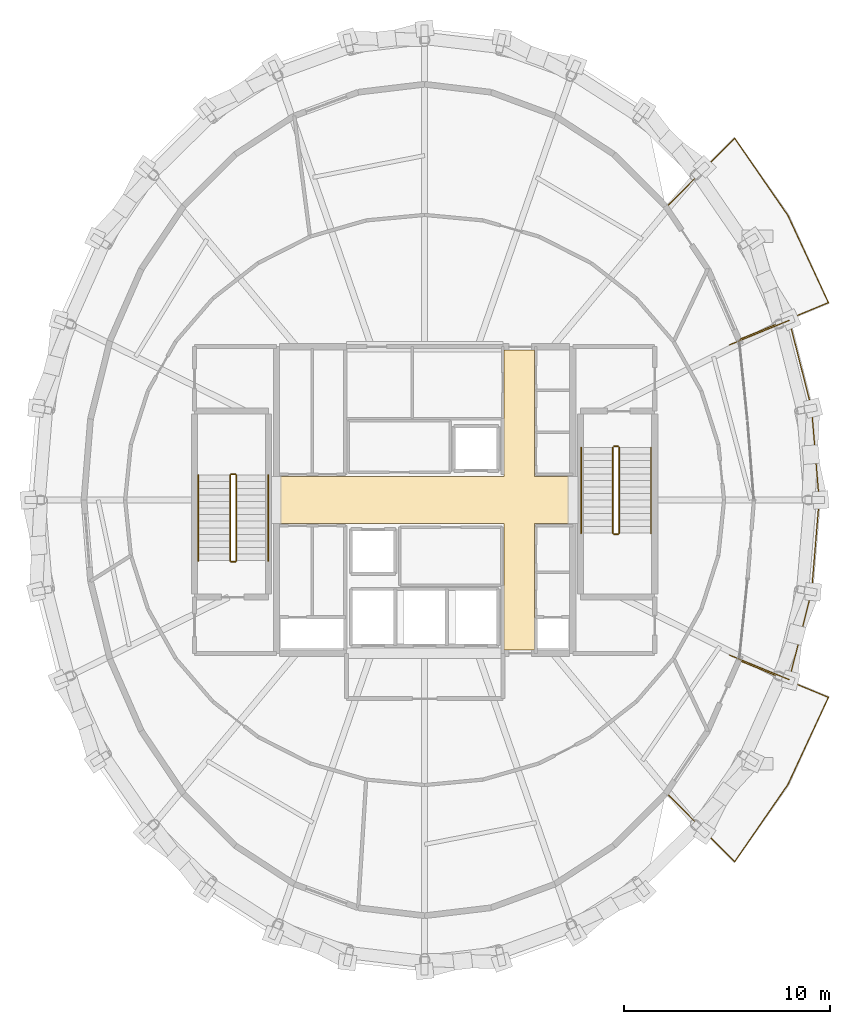
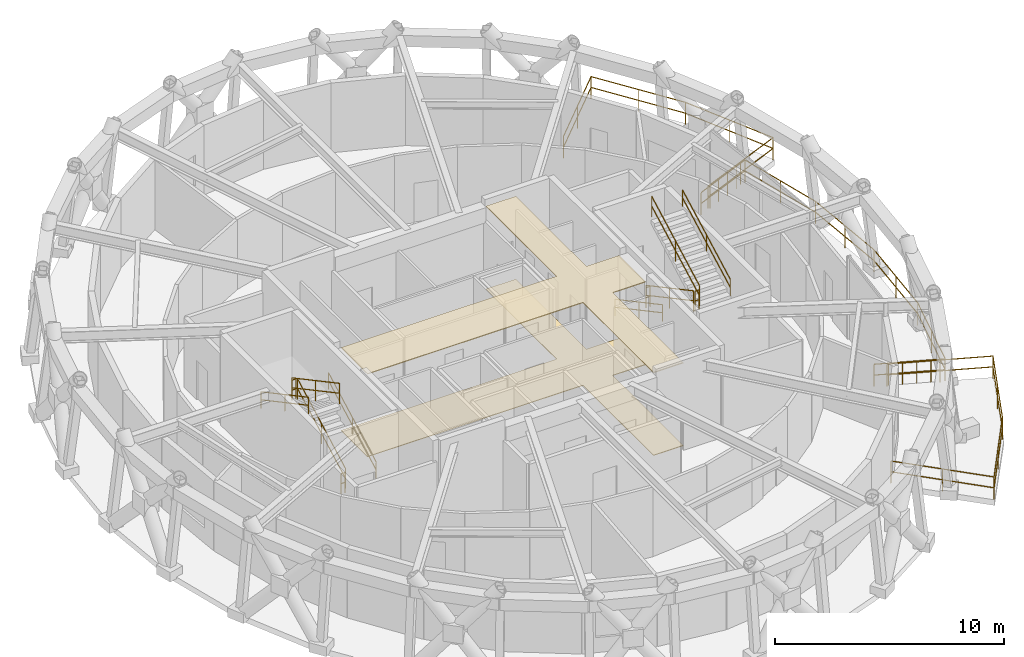
# One storey, part 11 of 11: 17 railings, 2 coverings.
"""IFC4 building model written with IfcOpenShell, lengths in metres."""

from ifc_helpers import new_model, si_unit, direction, frame, origin, origin_2d, place, context, subcontext, project, spatial, polyline, circle, outline, extrude, material, layer, layer_set, type_object, element, save


model = new_model("IFC4")

# Units and contexts
model_context = context("Model", 3, precision=1e-05, world=origin(), true_north=direction((0.0, 1.0)))
body_context = subcontext(model_context, "Body", "Model", "MODEL_VIEW")
ifc_project = project(units=[si_unit("LENGTHUNIT", "METRE"), si_unit("AREAUNIT", "SQUARE_METRE"), si_unit("VOLUMEUNIT", "CUBIC_METRE"), si_unit("PLANEANGLEUNIT", "RADIAN"), si_unit("MASSUNIT", "GRAM", prefix="KILO")], contexts=[model_context])

# Site, building, storey
site_placement = place(None, origin())
site = spatial("IfcSite", under=ifc_project, at=site_placement, CompositionType="ELEMENT")
building_placement = place(site_placement, origin())
building = spatial("IfcBuilding", under=site, at=building_placement, Name="Veldorina Hangang Commons", CompositionType="ELEMENT")
storey_placement = place(building_placement, frame((0.0, 0.0, 297.60009765625)))
storey = spatial("IfcBuildingStorey", under=building, at=storey_placement, Name="L78", CompositionType="ELEMENT", Elevation=297.60009765625)

# Coverings
ifc_material_1 = material(Name="Mineral Fibre Acoustic Tile", Category="gypsum")
ifc_layer_1 = layer(ifc_material_1, 0.0400390625)
ifc_layer_set_1 = layer_set([ifc_layer_1], Name="Mineral Fibre Acoustic Tile")
covering_type_1 = type_object("IfcCoveringType", Name="COV-CEIL-AC60", PredefinedType="CEILING", material=ifc_layer_set_1)
covering_1_placement = place(storey_placement, frame((0.0, 0.0, 4.39990234375)))
element("IfcCovering", 1, at=covering_1_placement, inside=storey, type_object=covering_type_1, Name="L78 lobby suspended acoustic ceiling", PredefinedType="CEILING", context=body_context, shape_type="SweptSolid", body=[
    extrude(outline(polyline([(25.0, 22.85009765625), (35.85009765625, 22.85009765625), (35.85009765625, 16.699951171875), (37.35009765625, 16.699951171875), (37.35009765625, 22.85009765625), (39.0, 22.85009765625), (39.0, 25.14990234375), (37.35009765625, 25.14990234375), (37.35009765625, 31.300048828125), (35.85009765625, 31.300048828125), (35.85009765625, 25.14990234375), (25.0, 25.14990234375), (25.0, 22.85009765625)])), origin(), (0.0, 0.0, 1.0), 0.0400390625),
])
ifc_material_2 = material(Name="Stone Venetian Terrazzo", Category="masonry")
ifc_layer_2 = layer(ifc_material_2, 0.030029296875)
ifc_layer_set_2 = layer_set([ifc_layer_2], Name="Stone Venetian Terrazzo")
covering_type_2 = type_object("IfcCoveringType", Name="COV-FLR-TERZ", PredefinedType="FLOORING", material=ifc_layer_set_2)
covering_2_placement = place(storey_placement, origin())
element("IfcCovering", 2, at=covering_2_placement, inside=storey, type_object=covering_type_2, Name="L78 lobby terrazzo floor finish", PredefinedType="FLOORING", context=body_context, shape_type="SweptSolid", body=[
    extrude(outline(polyline([(25.0, 22.85009765625), (35.85009765625, 22.85009765625), (35.85009765625, 16.699951171875), (37.35009765625, 16.699951171875), (37.35009765625, 22.85009765625), (39.0, 22.85009765625), (39.0, 25.14990234375), (37.35009765625, 25.14990234375), (37.35009765625, 31.300048828125), (35.85009765625, 31.300048828125), (35.85009765625, 25.14990234375), (25.0, 25.14990234375), (25.0, 22.85009765625)])), origin(), (0.0, 0.0, 1.0), 0.02978515625),
])

# Railings
ifc_material_3 = material(Name="Glass Laminated Safety Balustrade", Category="glass")
railing_type_1 = type_object("IfcRailingType", Name="RL-BAL-LOGGIA", PredefinedType="BALUSTRADE", material=ifc_material_3)
railing_1_placement = place(storey_placement, frame((46.81787109375, 16.462158203125, 0.0)))
element("IfcRailing", 3, at=railing_1_placement, inside=storey, type_object=railing_type_1, Name="L78 sky-garden loggia end balustrade A", PredefinedType="BALUSTRADE", context=body_context, shape_type="SweptSolid", body=[
    extrude(circle(Radius=0.02392578125, at=origin_2d()), frame((0.0, 0.0, 1.17578125), z_axis=(0.924889563175, -0.38023584251, 0.0), x_axis=(0.38023584251, 0.924889563175, 0.0)), (0.0, 0.0, 1.0), 3.130126953125),
    extrude(circle(Radius=0.02392578125, at=origin_2d()), frame((0.0, 0.0, 0.60009765625), z_axis=(0.924889563175, -0.38023584251, 0.0), x_axis=(0.38023584251, 0.924889563175, 0.0)), (0.0, 0.0, 1.0), 3.130126953125),
    extrude(circle(Radius=0.02099609375, at=origin_2d()), origin(), (0.0, 0.0, 1.0), 1.15185546875),
    extrude(circle(Radius=0.02099609375, at=origin_2d()), frame((0.5791015625, -0.238037109375, 0.0)), (0.0, 0.0, 1.0), 1.15185546875),
    extrude(circle(Radius=0.02099609375, at=origin_2d()), frame((1.157958984375, -0.47607421875, 0.0)), (0.0, 0.0, 1.0), 1.15185546875),
    extrude(circle(Radius=0.02099609375, at=origin_2d()), frame((1.737060546875, -0.714111328125, 0.0)), (0.0, 0.0, 1.0), 1.15185546875),
    extrude(circle(Radius=0.02099609375, at=origin_2d()), frame((2.31591796875, -0.9521484375, 0.0)), (0.0, 0.0, 1.0), 1.15185546875),
    extrude(circle(Radius=0.02099609375, at=origin_2d()), frame((2.89501953125, -1.190185546875, 0.0)), (0.0, 0.0, 1.0), 1.15185546875),
])
railing_2_placement = place(storey_placement, frame((46.81787109375, 31.537841796875, 0.0)))
element("IfcRailing", 4, at=railing_2_placement, inside=storey, type_object=railing_type_1, Name="L78 sky-garden loggia end balustrade B", PredefinedType="BALUSTRADE", context=body_context, shape_type="SweptSolid", body=[
    extrude(circle(Radius=0.02392578125, at=origin_2d()), frame((0.0, 0.0, 1.17578125), z_axis=(0.924889563175, 0.38023584251, 0.0), x_axis=(-0.38023584251, 0.924889563175, 0.0)), (0.0, 0.0, 1.0), 3.130126953125),
    extrude(circle(Radius=0.02392578125, at=origin_2d()), frame((0.0, 0.0, 0.60009765625), z_axis=(0.924889563175, 0.38023584251, 0.0), x_axis=(-0.38023584251, 0.924889563175, 0.0)), (0.0, 0.0, 1.0), 3.130126953125),
    extrude(circle(Radius=0.02099609375, at=origin_2d()), origin(), (0.0, 0.0, 1.0), 1.15185546875),
    extrude(circle(Radius=0.02099609375, at=origin_2d()), frame((0.5791015625, 0.238037109375, 0.0)), (0.0, 0.0, 1.0), 1.15185546875),
    extrude(circle(Radius=0.02099609375, at=origin_2d()), frame((1.157958984375, 0.47607421875, 0.0)), (0.0, 0.0, 1.0), 1.15185546875),
    extrude(circle(Radius=0.02099609375, at=origin_2d()), frame((1.737060546875, 0.714111328125, 0.0)), (0.0, 0.0, 1.0), 1.15185546875),
    extrude(circle(Radius=0.02099609375, at=origin_2d()), frame((2.31591796875, 0.9521484375, 0.0)), (0.0, 0.0, 1.0), 1.15185546875),
    extrude(circle(Radius=0.02099609375, at=origin_2d()), frame((2.89501953125, 1.190185546875, 0.0)), (0.0, 0.0, 1.0), 1.15185546875),
])
railing_3_placement = place(storey_placement, frame((49.712890625, 15.27197265625, 0.0)))
element("IfcRailing", 5, at=railing_3_placement, inside=storey, type_object=railing_type_1, Name="L78 sky-garden loggia outer balustrade", PredefinedType="BALUSTRADE", context=body_context, shape_type="SweptSolid", body=[
    extrude(circle(Radius=0.02392578125, at=origin_2d()), frame((0.0, 0.0, 1.17578125), z_axis=(0.24672271234, 0.969086117543, 0.0), x_axis=(-0.969086117543, 0.24672271234, 0.0)), (0.0, 0.0, 1.0), 4.415283203125),
    extrude(circle(Radius=0.02392578125, at=origin_2d()), frame((0.0, 0.0, 0.60009765625), z_axis=(0.24672271234, 0.969086117543, 0.0), x_axis=(-0.969086117543, 0.24672271234, 0.0)), (0.0, 0.0, 1.0), 4.415283203125),
    extrude(circle(Radius=0.02392578125, at=origin_2d()), frame((1.08935546875, 4.27880859375, 1.17578125), z_axis=(0.082357544324, 0.996602847123, 0.0), x_axis=(-0.996602847123, 0.082357544324, 0.0)), (0.0, 0.0, 1.0), 4.46435546875),
    extrude(circle(Radius=0.02392578125, at=origin_2d()), frame((1.08935546875, 4.27880859375, 0.60009765625), z_axis=(0.082357544324, 0.996602847123, 0.0), x_axis=(-0.996602847123, 0.082357544324, 0.0)), (0.0, 0.0, 1.0), 4.46435546875),
    extrude(circle(Radius=0.02392578125, at=origin_2d()), frame((1.45703125, 8.72802734375, 1.17578125), z_axis=(-0.082357544324, 0.996602847123, 0.0), x_axis=(-0.996602847123, -0.082357544324, 0.0)), (0.0, 0.0, 1.0), 4.46435546875),
    extrude(circle(Radius=0.02392578125, at=origin_2d()), frame((1.45703125, 8.72802734375, 0.60009765625), z_axis=(-0.082357544324, 0.996602847123, 0.0), x_axis=(-0.996602847123, -0.082357544324, 0.0)), (0.0, 0.0, 1.0), 4.46435546875),
    extrude(circle(Radius=0.02392578125, at=origin_2d()), frame((1.08935546875, 13.17724609375, 1.17578125), z_axis=(-0.24672271234, 0.969086117543, 0.0), x_axis=(-0.969086117543, -0.24672271234, 0.0)), (0.0, 0.0, 1.0), 4.415283203125),
    extrude(circle(Radius=0.02392578125, at=origin_2d()), frame((1.08935546875, 13.17724609375, 0.60009765625), z_axis=(-0.24672271234, 0.969086117543, 0.0), x_axis=(-0.969086117543, -0.24672271234, 0.0)), (0.0, 0.0, 1.0), 4.415283203125),
    extrude(circle(Radius=0.02099609375, at=origin_2d()), origin(), (0.0, 0.0, 1.0), 1.15185546875),
    extrude(circle(Radius=0.02099609375, at=origin_2d()), frame((0.544677734375, 2.139404296875, 0.0)), (0.0, 0.0, 1.0), 1.15185546875),
    extrude(circle(Radius=0.02099609375, at=origin_2d()), frame((1.08935546875, 4.27880859375, 0.0)), (0.0, 0.0, 1.0), 1.15185546875),
    extrude(circle(Radius=0.02099609375, at=origin_2d()), frame((1.273193359375, 6.50341796875, 0.0)), (0.0, 0.0, 1.0), 1.15185546875),
    extrude(circle(Radius=0.02099609375, at=origin_2d()), frame((1.45703125, 8.72802734375, 0.0)), (0.0, 0.0, 1.0), 1.15185546875),
    extrude(circle(Radius=0.02099609375, at=origin_2d()), frame((1.273193359375, 10.95263671875, 0.0)), (0.0, 0.0, 1.0), 1.15185546875),
    extrude(circle(Radius=0.02099609375, at=origin_2d()), frame((1.08935546875, 13.17724609375, 0.0)), (0.0, 0.0, 1.0), 1.15185546875),
    extrude(circle(Radius=0.02099609375, at=origin_2d()), frame((0.544677734375, 15.316650390625, 0.0)), (0.0, 0.0, 1.0), 1.15185546875),
    extrude(circle(Radius=0.02099609375, at=origin_2d()), frame((0.0, 17.4560546875, 0.0)), (0.0, 0.0, 1.0), 1.15185546875),
])
railing_4_placement = place(storey_placement, frame((43.779296875, 9.733642578125, 0.0)))
element("IfcRailing", 6, at=railing_4_placement, inside=storey, type_object=railing_type_1, Name="L78 planted tree balcony 1 balustrade", PredefinedType="BALUSTRADE", context=body_context, shape_type="SweptSolid", body=[
    extrude(circle(Radius=0.02392578125, at=origin_2d()), frame((0.0, 0.0, 1.17578125), z_axis=(0.705219495568, -0.708989042983, 0.0), x_axis=(0.708989042983, 0.705219495568, 0.0)), (0.0, 0.0, 1.0), 4.6630859375),
    extrude(circle(Radius=0.02392578125, at=origin_2d()), frame((0.0, 0.0, 0.60009765625), z_axis=(0.705219495568, -0.708989042983, 0.0), x_axis=(0.708989042983, 0.705219495568, 0.0)), (0.0, 0.0, 1.0), 4.6630859375),
    extrude(circle(Radius=0.02392578125, at=origin_2d()), frame((3.28857421875, -3.30615234375, 1.17578125), z_axis=(0.567424783372, 0.823425233531, 0.0), x_axis=(-0.823425233531, 0.567424783372, 0.0)), (0.0, 0.0, 1.0), 4.5546875),
    extrude(circle(Radius=0.02392578125, at=origin_2d()), frame((3.28857421875, -3.30615234375, 0.60009765625), z_axis=(0.567424783372, 0.823425233531, 0.0), x_axis=(-0.823425233531, 0.567424783372, 0.0)), (0.0, 0.0, 1.0), 4.5546875),
    extrude(circle(Radius=0.02392578125, at=origin_2d()), frame((5.873046875, 0.4443359375, 1.17578125), z_axis=(0.421559804604, 0.906800601644, 0.0), x_axis=(-0.906800601644, 0.421559804604, 0.0)), (0.0, 0.0, 1.0), 4.669677734375),
    extrude(circle(Radius=0.02392578125, at=origin_2d()), frame((5.873046875, 0.4443359375, 0.60009765625), z_axis=(0.421559804604, 0.906800601644, 0.0), x_axis=(-0.906800601644, 0.421559804604, 0.0)), (0.0, 0.0, 1.0), 4.669677734375),
    extrude(circle(Radius=0.02392578125, at=origin_2d()), frame((7.841552734375, 4.6787109375, 1.17578125), z_axis=(-0.924250177976, 0.381787386528, 0.0), x_axis=(-0.381787386528, -0.924250177976, 0.0)), (0.0, 0.0, 1.0), 4.66162109375),
    extrude(circle(Radius=0.02392578125, at=origin_2d()), frame((7.841552734375, 4.6787109375, 0.60009765625), z_axis=(-0.924250177976, 0.381787386528, 0.0), x_axis=(-0.381787386528, -0.924250177976, 0.0)), (0.0, 0.0, 1.0), 4.66162109375),
    extrude(circle(Radius=0.02099609375, at=origin_2d()), origin(), (0.0, 0.0, 1.0), 1.15185546875),
    extrude(circle(Radius=0.02099609375, at=origin_2d()), frame((1.644287109375, -1.653076171875, 0.0)), (0.0, 0.0, 1.0), 1.15185546875),
    extrude(circle(Radius=0.02099609375, at=origin_2d()), frame((3.28857421875, -3.30615234375, 0.0)), (0.0, 0.0, 1.0), 1.15185546875),
    extrude(circle(Radius=0.02099609375, at=origin_2d()), frame((4.580810546875, -1.430908203125, 0.0)), (0.0, 0.0, 1.0), 1.15185546875),
    extrude(circle(Radius=0.02099609375, at=origin_2d()), frame((5.873046875, 0.4443359375, 0.0)), (0.0, 0.0, 1.0), 1.15185546875),
    extrude(circle(Radius=0.02099609375, at=origin_2d()), frame((6.857421875, 2.5615234375, 0.0)), (0.0, 0.0, 1.0), 1.15185546875),
    extrude(circle(Radius=0.02099609375, at=origin_2d()), frame((7.841552734375, 4.6787109375, 0.0)), (0.0, 0.0, 1.0), 1.15185546875),
    extrude(circle(Radius=0.02099609375, at=origin_2d()), frame((5.687255859375, 5.568603515625, 0.0)), (0.0, 0.0, 1.0), 1.15185546875),
    extrude(circle(Radius=0.02099609375, at=origin_2d()), frame((3.532958984375, 6.45849609375, 0.0)), (0.0, 0.0, 1.0), 1.15185546875),
])
railing_5_placement = place(storey_placement, frame((47.312255859375, 31.807861328125, 0.0)))
element("IfcRailing", 7, at=railing_5_placement, inside=storey, type_object=railing_type_1, Name="L78 planted tree balcony 2 balustrade", PredefinedType="BALUSTRADE", context=body_context, shape_type="SweptSolid", body=[
    extrude(circle(Radius=0.02392578125, at=origin_2d()), frame((0.0, 0.0, 1.17578125), z_axis=(0.924250177976, 0.381787386528, 0.0), x_axis=(-0.381787386528, 0.924250177976, 0.0)), (0.0, 0.0, 1.0), 4.66162109375),
    extrude(circle(Radius=0.02392578125, at=origin_2d()), frame((0.0, 0.0, 0.60009765625), z_axis=(0.924250177976, 0.381787386528, 0.0), x_axis=(-0.381787386528, 0.924250177976, 0.0)), (0.0, 0.0, 1.0), 4.66162109375),
    extrude(circle(Radius=0.02392578125, at=origin_2d()), frame((4.30859375, 1.77978515625, 1.17578125), z_axis=(-0.421559804604, 0.906800601644, 0.0), x_axis=(-0.906800601644, -0.421559804604, 0.0)), (0.0, 0.0, 1.0), 4.669677734375),
    extrude(circle(Radius=0.02392578125, at=origin_2d()), frame((4.30859375, 1.77978515625, 0.60009765625), z_axis=(-0.421559804604, 0.906800601644, 0.0), x_axis=(-0.906800601644, -0.421559804604, 0.0)), (0.0, 0.0, 1.0), 4.669677734375),
    extrude(circle(Radius=0.02392578125, at=origin_2d()), frame((2.340087890625, 6.01416015625, 1.17578125), z_axis=(-0.567424783372, 0.823425233531, 0.0), x_axis=(-0.823425233531, -0.567424783372, 0.0)), (0.0, 0.0, 1.0), 4.5546875),
    extrude(circle(Radius=0.02392578125, at=origin_2d()), frame((2.340087890625, 6.01416015625, 0.60009765625), z_axis=(-0.567424783372, 0.823425233531, 0.0), x_axis=(-0.823425233531, -0.567424783372, 0.0)), (0.0, 0.0, 1.0), 4.5546875),
    extrude(circle(Radius=0.02392578125, at=origin_2d()), frame((-0.244384765625, 9.7646484375, 1.17578125), z_axis=(-0.705219495568, -0.708989042983, 0.0), x_axis=(0.708989042983, -0.705219495568, 0.0)), (0.0, 0.0, 1.0), 4.6630859375),
    extrude(circle(Radius=0.02392578125, at=origin_2d()), frame((-0.244384765625, 9.7646484375, 0.60009765625), z_axis=(-0.705219495568, -0.708989042983, 0.0), x_axis=(0.708989042983, -0.705219495568, 0.0)), (0.0, 0.0, 1.0), 4.6630859375),
    extrude(circle(Radius=0.02099609375, at=origin_2d()), origin(), (0.0, 0.0, 1.0), 1.15185546875),
    extrude(circle(Radius=0.02099609375, at=origin_2d()), frame((2.154296875, 0.889892578125, 0.0)), (0.0, 0.0, 1.0), 1.15185546875),
    extrude(circle(Radius=0.02099609375, at=origin_2d()), frame((4.30859375, 1.77978515625, 0.0)), (0.0, 0.0, 1.0), 1.15185546875),
    extrude(circle(Radius=0.02099609375, at=origin_2d()), frame((3.32421875, 3.89697265625, 0.0)), (0.0, 0.0, 1.0), 1.15185546875),
    extrude(circle(Radius=0.02099609375, at=origin_2d()), frame((2.340087890625, 6.01416015625, 0.0)), (0.0, 0.0, 1.0), 1.15185546875),
    extrude(circle(Radius=0.02099609375, at=origin_2d()), frame((1.0478515625, 7.889404296875, 0.0)), (0.0, 0.0, 1.0), 1.15185546875),
    extrude(circle(Radius=0.02099609375, at=origin_2d()), frame((-0.244384765625, 9.7646484375, 0.0)), (0.0, 0.0, 1.0), 1.15185546875),
    extrude(circle(Radius=0.02099609375, at=origin_2d()), frame((-1.888671875, 8.111572265625, 0.0)), (0.0, 0.0, 1.0), 1.15185546875),
    extrude(circle(Radius=0.02099609375, at=origin_2d()), frame((-3.532958984375, 6.45849609375, 0.0)), (0.0, 0.0, 1.0), 1.15185546875),
])
ifc_material_4 = material(Name="Steel Painted Balustrade", Category="steel")
railing_type_2 = type_object("IfcRailingType", Name="RL-GRD-STAIR", PredefinedType="GUARDRAIL", material=ifc_material_4)
railing_6_placement = place(storey_placement, frame((22.85009765625, 21.050048828125, 0.17138671875)))
element("IfcRailing", 8, at=railing_6_placement, inside=storey, type_object=railing_type_2, Name="L78 ST-1 stair guard 1", PredefinedType="GUARDRAIL", context=body_context, shape_type="SweptSolid", body=[
    extrude(circle(Radius=0.02392578125, at=origin_2d()), frame((0.0, 0.0, 1.076171875), z_axis=(0.0, 0.881480739103, 0.472219976908), x_axis=(-1.0, 0.0, 0.0)), (0.0, 0.0, 1.0), 4.71923828125),
    extrude(circle(Radius=0.02392578125, at=origin_2d()), frame((0.0, 0.0, 0.550048828125), z_axis=(0.0, 0.881480739103, 0.472219976908), x_axis=(-1.0, 0.0, 0.0)), (0.0, 0.0, 1.0), 4.71923828125),
    extrude(circle(Radius=0.02099609375, at=origin_2d()), origin(), (0.0, 0.0, 1.0), 1.052001953125),
    extrude(circle(Radius=0.02099609375, at=origin_2d()), frame((0.0, 2.080078125, 1.1142578125)), (0.0, 0.0, 1.0), 1.052001953125),
    extrude(circle(Radius=0.02099609375, at=origin_2d()), frame((0.0, 4.159912109375, 2.228515625)), (0.0, 0.0, 1.0), 1.052001953125),
])
railing_7_placement = place(storey_placement, frame((22.800048828125, 25.260009765625, 2.39990234375)))
element("IfcRailing", 9, at=railing_7_placement, inside=storey, type_object=railing_type_2, Name="L78 ST-1 stair guard 2", PredefinedType="GUARDRAIL", context=body_context, shape_type="SweptSolid", body=[
    extrude(circle(Radius=0.02392578125, at=origin_2d()), frame((0.0, 0.0, 1.076171875), z_axis=(-1.0, 0.0, 0.0), x_axis=(0.0, -1.0, 0.0)), (0.0, 0.0, 1.0), 0.199951171875),
    extrude(circle(Radius=0.02392578125, at=origin_2d()), frame((0.0, 0.0, 0.550048828125), z_axis=(-1.0, 0.0, 0.0), x_axis=(0.0, -1.0, 0.0)), (0.0, 0.0, 1.0), 0.199951171875),
    extrude(circle(Radius=0.02099609375, at=origin_2d()), origin(), (0.0, 0.0, 1.0), 1.052001953125),
    extrude(circle(Radius=0.02099609375, at=origin_2d()), frame((-0.199951171875, 0.0, 0.0)), (0.0, 0.0, 1.0), 1.052001953125),
])
railing_8_placement = place(storey_placement, frame((22.550048828125, 25.2099609375, 2.5712890625)))
element("IfcRailing", 10, at=railing_8_placement, inside=storey, type_object=railing_type_2, Name="L78 ST-1 stair guard 3", PredefinedType="GUARDRAIL", context=body_context, shape_type="SweptSolid", body=[
    extrude(circle(Radius=0.02392578125, at=origin_2d()), frame((0.0, 0.0, 1.076171875), z_axis=(0.0, -0.881480739103, 0.472219976908), x_axis=(1.0, 0.0, 0.0)), (0.0, 0.0, 1.0), 4.71923828125),
    extrude(circle(Radius=0.02392578125, at=origin_2d()), frame((0.0, 0.0, 0.550048828125), z_axis=(0.0, -0.881480739103, 0.472219976908), x_axis=(1.0, 0.0, 0.0)), (0.0, 0.0, 1.0), 4.71923828125),
    extrude(circle(Radius=0.02099609375, at=origin_2d()), origin(), (0.0, 0.0, 1.0), 1.052001953125),
    extrude(circle(Radius=0.02099609375, at=origin_2d()), frame((0.0, -2.080078125, 1.1142578125)), (0.0, 0.0, 1.0), 1.052001953125),
    extrude(circle(Radius=0.02099609375, at=origin_2d()), frame((0.0, -4.159912109375, 2.228515625)), (0.0, 0.0, 1.0), 1.052001953125),
])
railing_9_placement = place(storey_placement, frame((22.800048828125, 21.0, 0.0)))
element("IfcRailing", 11, at=railing_9_placement, inside=storey, type_object=railing_type_2, Name="L78 ST-1 stair guard 4", PredefinedType="GUARDRAIL", context=body_context, shape_type="SweptSolid", body=[
    extrude(circle(Radius=0.02392578125, at=origin_2d()), frame((0.0, 0.0, 1.076171875), z_axis=(-1.0, 0.0, 0.0), x_axis=(0.0, -1.0, 0.0)), (0.0, 0.0, 1.0), 0.199951171875),
    extrude(circle(Radius=0.02392578125, at=origin_2d()), frame((0.0, 0.0, 0.550048828125), z_axis=(-1.0, 0.0, 0.0), x_axis=(0.0, -1.0, 0.0)), (0.0, 0.0, 1.0), 0.199951171875),
    extrude(circle(Radius=0.02099609375, at=origin_2d()), origin(), (0.0, 0.0, 1.0), 1.052001953125),
    extrude(circle(Radius=0.02099609375, at=origin_2d()), frame((-0.199951171875, 0.0, 0.0)), (0.0, 0.0, 1.0), 1.052001953125),
])
railing_10_placement = place(storey_placement, frame((41.14990234375, 26.550048828125, 0.17138671875)))
element("IfcRailing", 12, at=railing_10_placement, inside=storey, type_object=railing_type_2, Name="L78 ST-2 stair guard 1", PredefinedType="GUARDRAIL", context=body_context, shape_type="SweptSolid", body=[
    extrude(circle(Radius=0.02392578125, at=origin_2d()), frame((0.0, 0.0, 1.076171875), z_axis=(0.0, -0.881492274372, 0.472198443689), x_axis=(1.0, 0.0, 0.0)), (0.0, 0.0, 1.0), 4.719482421875),
    extrude(circle(Radius=0.02392578125, at=origin_2d()), frame((0.0, 0.0, 0.550048828125), z_axis=(0.0, -0.881492274372, 0.472198443689), x_axis=(1.0, 0.0, 0.0)), (0.0, 0.0, 1.0), 4.719482421875),
    extrude(circle(Radius=0.02099609375, at=origin_2d()), origin(), (0.0, 0.0, 1.0), 1.052001953125),
    extrude(circle(Radius=0.02099609375, at=origin_2d()), frame((0.0, -2.080078125, 1.1142578125)), (0.0, 0.0, 1.0), 1.052001953125),
    extrude(circle(Radius=0.02099609375, at=origin_2d()), frame((0.0, -4.16015625, 2.228515625)), (0.0, 0.0, 1.0), 1.052001953125),
])
railing_11_placement = place(storey_placement, frame((41.199951171875, 22.340087890625, 2.39990234375)))
element("IfcRailing", 13, at=railing_11_placement, inside=storey, type_object=railing_type_2, Name="L78 ST-2 stair guard 2", PredefinedType="GUARDRAIL", context=body_context, shape_type="SweptSolid", body=[
    extrude(circle(Radius=0.02392578125, at=origin_2d()), frame((0.0, 0.0, 1.076171875), z_axis=(1.0, 0.0, 0.0), x_axis=(0.0, 1.0, 0.0)), (0.0, 0.0, 1.0), 0.199951171875),
    extrude(circle(Radius=0.02392578125, at=origin_2d()), frame((0.0, 0.0, 0.550048828125), z_axis=(1.0, 0.0, 0.0), x_axis=(0.0, 1.0, 0.0)), (0.0, 0.0, 1.0), 0.199951171875),
    extrude(circle(Radius=0.02099609375, at=origin_2d()), origin(), (0.0, 0.0, 1.0), 1.052001953125),
    extrude(circle(Radius=0.02099609375, at=origin_2d()), frame((0.199951171875, 0.0, 0.0)), (0.0, 0.0, 1.0), 1.052001953125),
])
railing_12_placement = place(storey_placement, frame((41.449951171875, 22.389892578125, 2.5712890625)))
element("IfcRailing", 14, at=railing_12_placement, inside=storey, type_object=railing_type_2, Name="L78 ST-2 stair guard 3", PredefinedType="GUARDRAIL", context=body_context, shape_type="SweptSolid", body=[
    extrude(circle(Radius=0.02392578125, at=origin_2d()), frame((0.0, 0.0, 1.076171875), z_axis=(0.0, 0.881492274372, 0.472198443689), x_axis=(-1.0, 0.0, 0.0)), (0.0, 0.0, 1.0), 4.719482421875),
    extrude(circle(Radius=0.02392578125, at=origin_2d()), frame((0.0, 0.0, 0.550048828125), z_axis=(0.0, 0.881492274372, 0.472198443689), x_axis=(-1.0, 0.0, 0.0)), (0.0, 0.0, 1.0), 4.719482421875),
    extrude(circle(Radius=0.02099609375, at=origin_2d()), origin(), (0.0, 0.0, 1.0), 1.052001953125),
    extrude(circle(Radius=0.02099609375, at=origin_2d()), frame((0.0, 2.080078125, 1.1142578125)), (0.0, 0.0, 1.0), 1.052001953125),
    extrude(circle(Radius=0.02099609375, at=origin_2d()), frame((0.0, 4.16015625, 2.228515625)), (0.0, 0.0, 1.0), 1.052001953125),
])
railing_13_placement = place(storey_placement, frame((41.199951171875, 26.60009765625, 0.0)))
element("IfcRailing", 15, at=railing_13_placement, inside=storey, type_object=railing_type_2, Name="L78 ST-2 stair guard 4", PredefinedType="GUARDRAIL", context=body_context, shape_type="SweptSolid", body=[
    extrude(circle(Radius=0.02392578125, at=origin_2d()), frame((0.0, 0.0, 1.076171875), z_axis=(1.0, 0.0, 0.0), x_axis=(0.0, 1.0, 0.0)), (0.0, 0.0, 1.0), 0.199951171875),
    extrude(circle(Radius=0.02392578125, at=origin_2d()), frame((0.0, 0.0, 0.550048828125), z_axis=(1.0, 0.0, 0.0), x_axis=(0.0, 1.0, 0.0)), (0.0, 0.0, 1.0), 0.199951171875),
    extrude(circle(Radius=0.02099609375, at=origin_2d()), origin(), (0.0, 0.0, 1.0), 1.052001953125),
    extrude(circle(Radius=0.02099609375, at=origin_2d()), frame((0.199951171875, 0.0, 0.0)), (0.0, 0.0, 1.0), 1.052001953125),
])
ifc_material_5 = material(Name="Stainless Steel Brushed 316", Category="steel")
railing_type_3 = type_object("IfcRailingType", Name="RL-HND-STAIR", PredefinedType="HANDRAIL", material=ifc_material_5)
railing_14_placement = place(storey_placement, frame((24.39990234375, 21.050048828125, 0.17138671875)))
element("IfcRailing", 16, at=railing_14_placement, inside=storey, type_object=railing_type_3, Name="L78 ST-1 stair handrail 1", PredefinedType="HANDRAIL", context=body_context, shape_type="SweptSolid", body=[
    extrude(circle(Radius=0.02392578125, at=origin_2d()), frame((0.0, 0.0, 0.8759765625), z_axis=(0.0, 0.881480739103, 0.472219976908), x_axis=(-1.0, 0.0, 0.0)), (0.0, 0.0, 1.0), 4.71923828125),
    extrude(circle(Radius=0.02392578125, at=origin_2d()), frame((0.0, 0.0, 0.449951171875), z_axis=(0.0, 0.881480739103, 0.472219976908), x_axis=(-1.0, 0.0, 0.0)), (0.0, 0.0, 1.0), 4.71923828125),
    extrude(circle(Radius=0.02099609375, at=origin_2d()), origin(), (0.0, 0.0, 1.0), 0.851806640625),
    extrude(circle(Radius=0.02099609375, at=origin_2d()), frame((0.0, 2.080078125, 1.1142578125)), (0.0, 0.0, 1.0), 0.851806640625),
    extrude(circle(Radius=0.02099609375, at=origin_2d()), frame((0.0, 4.159912109375, 2.228515625)), (0.0, 0.0, 1.0), 0.851806640625),
])
railing_15_placement = place(storey_placement, frame((21.0, 25.2099609375, 2.5712890625)))
element("IfcRailing", 17, at=railing_15_placement, inside=storey, type_object=railing_type_3, Name="L78 ST-1 stair handrail 2", PredefinedType="HANDRAIL", context=body_context, shape_type="SweptSolid", body=[
    extrude(circle(Radius=0.02392578125, at=origin_2d()), frame((0.0, 0.0, 0.8759765625), z_axis=(0.0, -0.881480739103, 0.472219976908), x_axis=(1.0, 0.0, 0.0)), (0.0, 0.0, 1.0), 4.71923828125),
    extrude(circle(Radius=0.02392578125, at=origin_2d()), frame((0.0, 0.0, 0.449951171875), z_axis=(0.0, -0.881480739103, 0.472219976908), x_axis=(1.0, 0.0, 0.0)), (0.0, 0.0, 1.0), 4.71923828125),
    extrude(circle(Radius=0.02099609375, at=origin_2d()), origin(), (0.0, 0.0, 1.0), 0.851806640625),
    extrude(circle(Radius=0.02099609375, at=origin_2d()), frame((0.0, -2.080078125, 1.1142578125)), (0.0, 0.0, 1.0), 0.851806640625),
    extrude(circle(Radius=0.02099609375, at=origin_2d()), frame((0.0, -4.159912109375, 2.228515625)), (0.0, 0.0, 1.0), 0.851806640625),
])
railing_16_placement = place(storey_placement, frame((39.60009765625, 26.550048828125, 0.17138671875)))
element("IfcRailing", 18, at=railing_16_placement, inside=storey, type_object=railing_type_3, Name="L78 ST-2 stair handrail 1", PredefinedType="HANDRAIL", context=body_context, shape_type="SweptSolid", body=[
    extrude(circle(Radius=0.02392578125, at=origin_2d()), frame((0.0, 0.0, 0.8759765625), z_axis=(0.0, -0.881492274372, 0.472198443689), x_axis=(1.0, 0.0, 0.0)), (0.0, 0.0, 1.0), 4.719482421875),
    extrude(circle(Radius=0.02392578125, at=origin_2d()), frame((0.0, 0.0, 0.449951171875), z_axis=(0.0, -0.881492274372, 0.472198443689), x_axis=(1.0, 0.0, 0.0)), (0.0, 0.0, 1.0), 4.719482421875),
    extrude(circle(Radius=0.02099609375, at=origin_2d()), origin(), (0.0, 0.0, 1.0), 0.851806640625),
    extrude(circle(Radius=0.02099609375, at=origin_2d()), frame((0.0, -2.080078125, 1.1142578125)), (0.0, 0.0, 1.0), 0.851806640625),
    extrude(circle(Radius=0.02099609375, at=origin_2d()), frame((0.0, -4.16015625, 2.228515625)), (0.0, 0.0, 1.0), 0.851806640625),
])
railing_17_placement = place(storey_placement, frame((43.0, 22.389892578125, 2.5712890625)))
element("IfcRailing", 19, at=railing_17_placement, inside=storey, type_object=railing_type_3, Name="L78 ST-2 stair handrail 2", PredefinedType="HANDRAIL", context=body_context, shape_type="SweptSolid", body=[
    extrude(circle(Radius=0.02392578125, at=origin_2d()), frame((0.0, 0.0, 0.8759765625), z_axis=(0.0, 0.881492274372, 0.472198443689), x_axis=(-1.0, 0.0, 0.0)), (0.0, 0.0, 1.0), 4.719482421875),
    extrude(circle(Radius=0.02392578125, at=origin_2d()), frame((0.0, 0.0, 0.449951171875), z_axis=(0.0, 0.881492274372, 0.472198443689), x_axis=(-1.0, 0.0, 0.0)), (0.0, 0.0, 1.0), 4.719482421875),
    extrude(circle(Radius=0.02099609375, at=origin_2d()), origin(), (0.0, 0.0, 1.0), 0.851806640625),
    extrude(circle(Radius=0.02099609375, at=origin_2d()), frame((0.0, 2.080078125, 1.1142578125)), (0.0, 0.0, 1.0), 0.851806640625),
    extrude(circle(Radius=0.02099609375, at=origin_2d()), frame((0.0, 4.16015625, 2.228515625)), (0.0, 0.0, 1.0), 0.851806640625),
])

save(model, "model.ifc")
